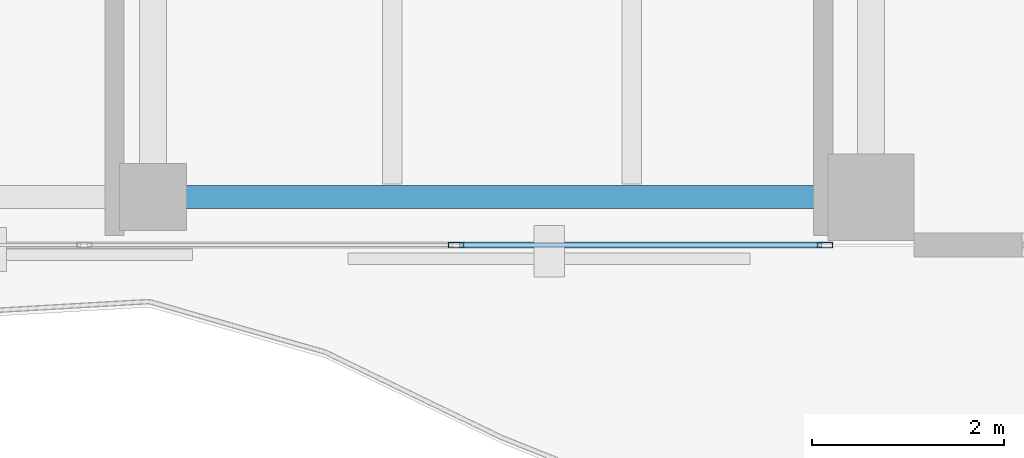
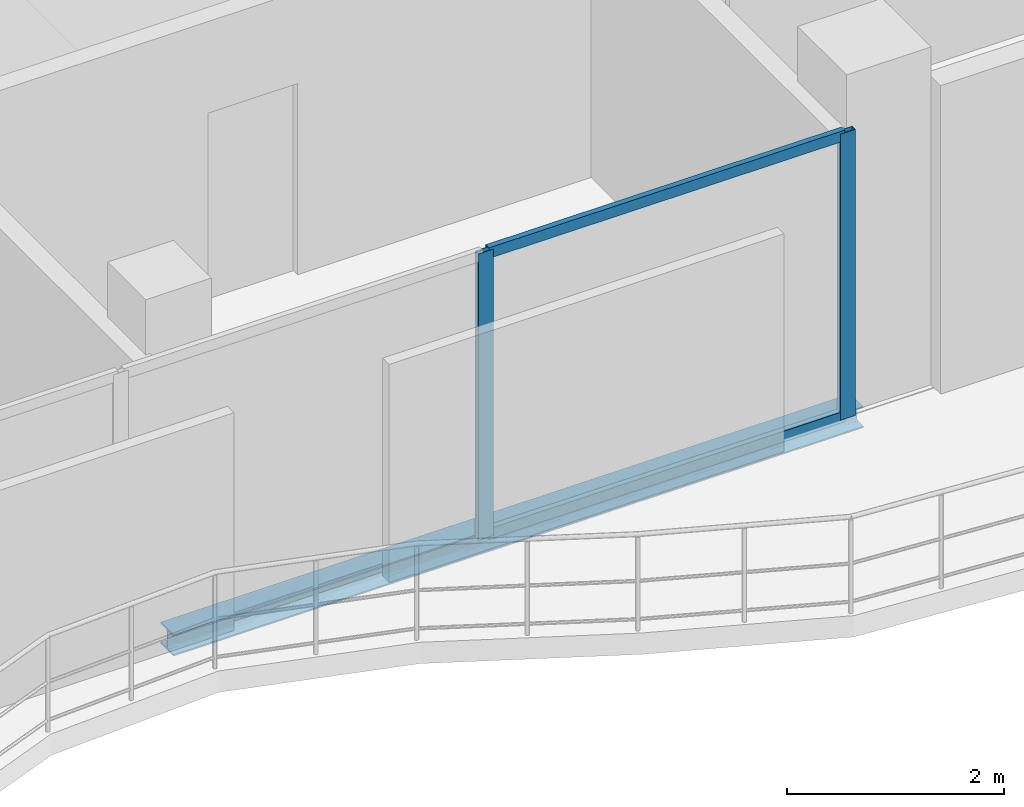
# One storey, part 6 of 16: 4 members, 1 beam, 1 element without a shape of its own.
"""IFC4 building model written with IfcOpenShell, lengths in metres."""

from ifc_helpers import new_model, si_unit, direction, frame, origin, origin_2d, place, context, subcontext, project, spatial, hollow_rectangle, i_section, extrude, material, layer, layer_set, material_profile, profile_set, type_object, element, aggregate, save


model = new_model("IFC4")

# Units and contexts
model_context = context("Model", 3, precision=1e-05, world=origin(), true_north=direction((0.0, 1.0)))
body_context = subcontext(model_context, "Body", "Model", "MODEL_VIEW")
ifc_project = project(units=[si_unit("LENGTHUNIT", "METRE"), si_unit("AREAUNIT", "SQUARE_METRE"), si_unit("VOLUMEUNIT", "CUBIC_METRE"), si_unit("PLANEANGLEUNIT", "RADIAN"), si_unit("MASSUNIT", "GRAM", prefix="KILO")], contexts=[model_context])

# Site, building, storey
site_placement = place(None, origin())
site = spatial("IfcSite", under=ifc_project, at=site_placement, CompositionType="ELEMENT")
building_placement = place(site_placement, origin())
building = spatial("IfcBuilding", under=site, at=building_placement, Name="Catumbela Crestline Tower", CompositionType="ELEMENT")
storey_placement = place(building_placement, frame((0.0, 0.0, 286.8)))
storey = spatial("IfcBuildingStorey", under=building, at=storey_placement, Name="L74", CompositionType="ELEMENT", Elevation=286.8)

# Curtain wall, members
ifc_material_1 = material(Name="Aluminium alloy AW-6060-T66", Category="aluminium")
ifc_layer = layer(ifc_material_1, 0.18, Name="Aluminium alloy AW-6060-T66")
ifc_layer_set = layer_set([ifc_layer], Name="Aluminium alloy AW-6060-T66")
curtain_wall_type = type_object("IfcCurtainWallType", Name="CWU-Z4", PredefinedType="USERDEFINED", material=ifc_layer_set)
curtain_wall_placement = place(storey_placement, origin())
curtain_wall = element("IfcCurtainWall", 1, at=curtain_wall_placement, inside=storey, type_object=curtain_wall_type, Name="L74 Unitised Curtain Wall CW-L74-E3S2", ObjectType="UNITISED", PredefinedType="USERDEFINED")
ifc_material_profile_1 = material_profile(ifc_material_1, hollow_rectangle(XDim=0.06, YDim=0.16, WallThickness=0.004, at=origin_2d()), Name="ALU 160x60x4")
ifc_profile_set_1 = profile_set([ifc_material_profile_1], Name="Aluminium alloy AW-6060-T66")
member_type_1 = type_object("IfcMemberType", Name="MUL-160X60", PredefinedType="MULLION", material=ifc_profile_set_1)
member_1_placement = place(storey_placement, frame((35.1667, 24.0, 0.0), z_axis=(0.0, 0.0, 1.0), x_axis=(0.0, 1.0, 0.0)))
member_1 = element("IfcMember", 2, at=member_1_placement, type_object=member_type_1, Name="CWU-Z4 mullion 3", PredefinedType="MULLION", context=body_context, shape_type="SweptSolid", body=[
    extrude(hollow_rectangle(XDim=0.06, YDim=0.16, WallThickness=0.004, at=origin_2d()), origin(), (0.0, 0.0, 1.0), 3.22),
])
member_2_placement = place(storey_placement, frame((39.0175, 24.0, 0.0), z_axis=(0.0, 0.0, 1.0), x_axis=(0.0, 1.0, 0.0)))
member_2 = element("IfcMember", 3, at=member_2_placement, type_object=member_type_1, Name="CWU-Z4 mullion 4", PredefinedType="MULLION", context=body_context, shape_type="SweptSolid", body=[
    extrude(hollow_rectangle(XDim=0.06, YDim=0.16, WallThickness=0.004, at=origin_2d()), origin(), (0.0, 0.0, 1.0), 3.22),
])

# Beam
ifc_material_2 = material(Name="Structural steel S355J2", Category="steel")
ifc_material_profile_2 = material_profile(ifc_material_2, i_section(OverallWidth=0.24, OverallDepth=0.24, WebThickness=0.01, FlangeThickness=0.017, FilletRadius=0.021, at=origin_2d()), Name="HEB 240")
ifc_profile_set_2 = profile_set([ifc_material_profile_2], Name="Structural steel S355J2")
beam_type = type_object("IfcBeamType", Name="BS-HEB240", PredefinedType="SPANDREL", material=ifc_profile_set_2)
beam_placement = place(storey_placement, frame((32.08, 24.5, -0.38), z_axis=(1.0, 0.0, 0.0), x_axis=(0.0, 1.0, 0.0)))
element("IfcBeam", 4, at=beam_placement, inside=storey, type_object=beam_type, Name="L74 Spandrel SP-L74-S03", PredefinedType="SPANDREL", context=body_context, shape_type="SweptSolid", body=[
    extrude(i_section(OverallWidth=0.24, OverallDepth=0.24, WebThickness=0.01, FlangeThickness=0.017, FilletRadius=0.021, at=origin_2d()), origin(), (0.0, 0.0, 1.0), 7.34),
])

# Member
ifc_material_profile_3 = material_profile(ifc_material_1, hollow_rectangle(XDim=0.06, YDim=0.12, WallThickness=0.0035, at=origin_2d()), Name="ALU 120x60x3.5")
ifc_profile_set_3 = profile_set([ifc_material_profile_3], Name="Aluminium alloy AW-6060-T66")
member_type_2 = type_object("IfcMemberType", Name="TRN-120X60", PredefinedType="USERDEFINED", material=ifc_profile_set_3)
member_3_placement = place(storey_placement, frame((35.1992, 24.0, 0.03), z_axis=(1.0, 0.0, 0.0), x_axis=(0.0, 1.0, 0.0)))
member_3 = element("IfcMember", 5, at=member_3_placement, type_object=member_type_2, Name="CWU-Z4 transom 3.1", ObjectType="TRANSOM", PredefinedType="USERDEFINED", context=body_context, shape_type="SweptSolid", body=[
    extrude(hollow_rectangle(XDim=0.06, YDim=0.12, WallThickness=0.0035, at=origin_2d()), origin(), (0.0, 0.0, 1.0), 3.7858),
])

member_4_placement = place(storey_placement, frame((35.1992, 24.0, 3.19), z_axis=(1.0, 0.0, 0.0), x_axis=(0.0, 1.0, 0.0)))
member_4 = element("IfcMember", 6, at=member_4_placement, type_object=member_type_2, Name="CWU-Z4 transom 3.2", ObjectType="TRANSOM", PredefinedType="USERDEFINED", context=body_context, shape_type="SweptSolid", body=[
    extrude(hollow_rectangle(XDim=0.06, YDim=0.12, WallThickness=0.0035, at=origin_2d()), origin(), (0.0, 0.0, 1.0), 3.7858),
])

aggregate(curtain_wall, [member_1, member_2, member_3, member_4])

save(model, "model.ifc")
